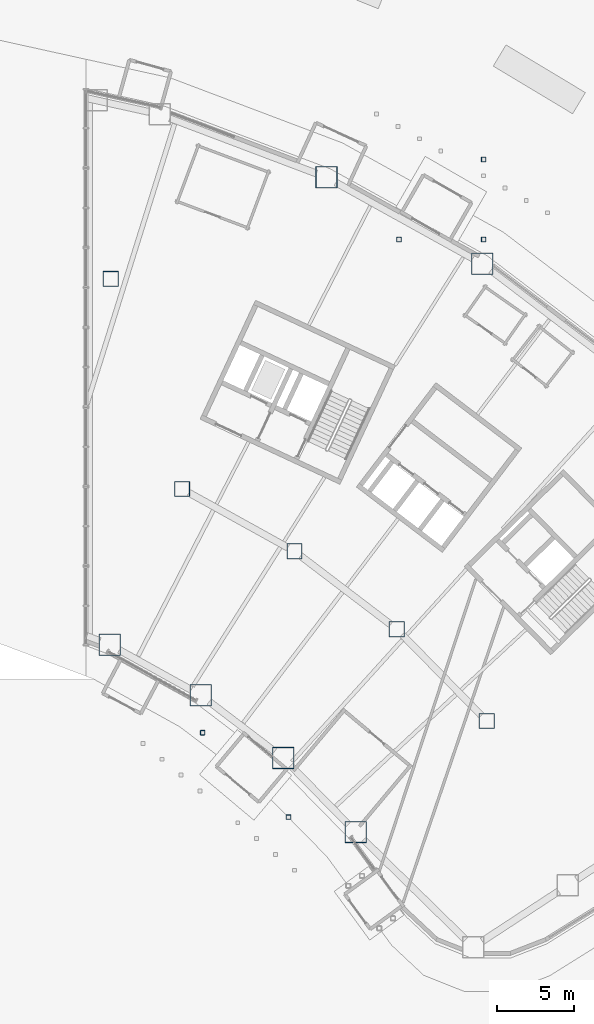
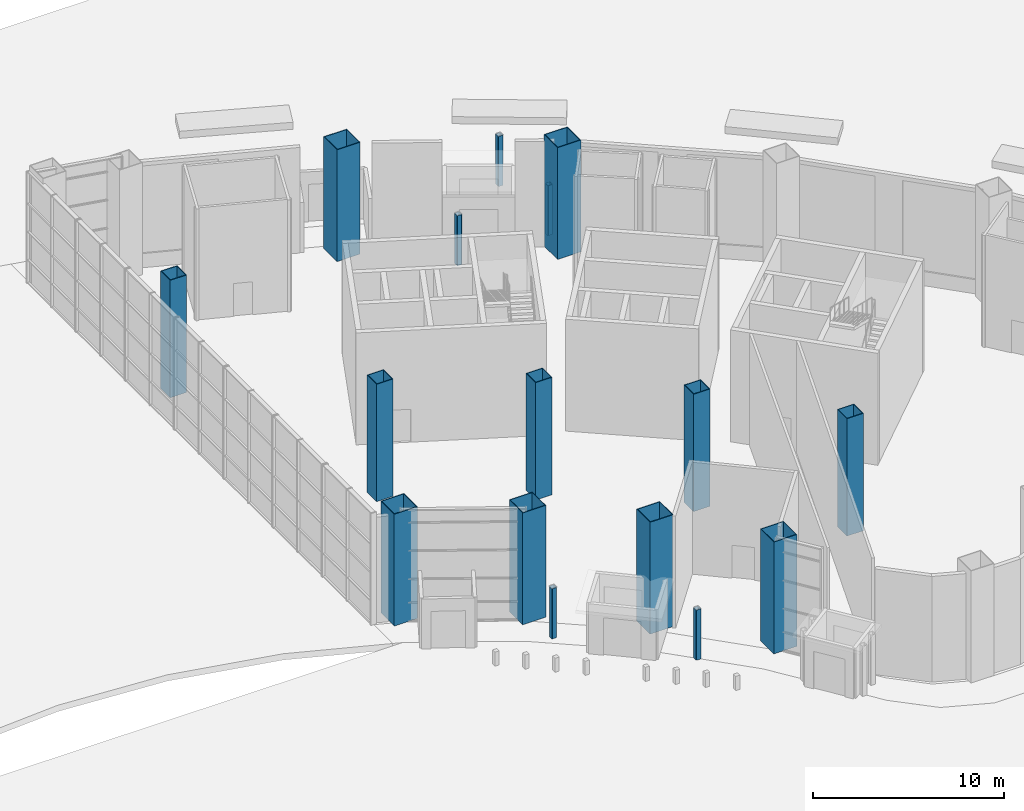
# One storey, part 7 of 45: 16 columns.
"""IFC4 building model written with IfcOpenShell, lengths in metres."""

from ifc_helpers import new_model, si_unit, direction, frame, origin, origin_2d, place, context, subcontext, project, spatial, hollow_rectangle, extrude, material, material_profile, profile_set, type_object, element, save


model = new_model("IFC4")

# Units and contexts
model_context = context("Model", 3, precision=1e-05, world=origin(), true_north=direction((0.0, 1.0)))
body_context = subcontext(model_context, "Body", "Model", "MODEL_VIEW")
ifc_project = project(units=[si_unit("LENGTHUNIT", "METRE"), si_unit("AREAUNIT", "SQUARE_METRE"), si_unit("VOLUMEUNIT", "CUBIC_METRE"), si_unit("PLANEANGLEUNIT", "RADIAN"), si_unit("MASSUNIT", "GRAM", prefix="KILO")], contexts=[model_context])

# Site, building, storey
site_placement = place(None, origin())
site = spatial("IfcSite", under=ifc_project, at=site_placement, CompositionType="ELEMENT")
building_placement = place(site_placement, origin())
building = spatial("IfcBuilding", under=site, at=building_placement, Name="Tuul Gate Civic Tower", CompositionType="ELEMENT")
storey_placement = place(building_placement, origin())
storey = spatial("IfcBuildingStorey", under=building, at=storey_placement, Name="Level 00", CompositionType="ELEMENT", Elevation=0.0)

# Columns
ifc_material_1 = material(Name="Steel S355", Category="steel")
ifc_material_profile_1 = material_profile(ifc_material_1, hollow_rectangle(XDim=1.0, YDim=1.0, WallThickness=0.0400390625, at=origin_2d()), Name="BOX1000x1000x40")
ifc_profile_set_1 = profile_set([ifc_material_profile_1], Name="Steel S355")
column_type_1 = type_object("IfcColumnType", Name="STR-COLUMN-BOX1000x1000x40", PredefinedType="COLUMN", material=ifc_profile_set_1)
for number, where, z_axis, x_axis, name in (
    (1, (19.617919921875, 5.927978515625, 0.0), (0.0, 0.0, 1.0), (1.0, 0.0, 0.0), "Interior column"),
    (2, (24.236083984375, -7.68505859375, 0.0), (0.0, 0.0, 1.0), (1.0, 0.0, 0.0), "Interior column"),
    (3, (31.522216796875, -11.724365234375, 0.0), (0.0, 0.0, 1.0), (1.0, 0.0, 0.0), "Interior column"),
    (4, (38.14990234375, -16.770751953125, 0.0), (0.0, 0.0, 1.0), (1.0, 0.0, 0.0), "Interior column"),
    (5, (43.981689453125, -22.719970703125, 0.0), (0.0, 0.0, 1.0), (1.0, 0.0, 0.0), "Interior column"),
):
    element("IfcColumn", number, at=place(storey_placement, frame(where, z_axis=z_axis, x_axis=x_axis)), inside=storey, type_object=column_type_1, Name=name, PredefinedType="COLUMN", context=body_context, shape_type="SweptSolid", body=[
        extrude(hollow_rectangle(XDim=1.0, YDim=1.0, WallThickness=0.0400390625, at=origin_2d()), origin(), (0.0, 0.0, 1.0), 7.5),
    ])
ifc_material_2 = material(Name="Steel S355", Category="steel")
ifc_material_profile_2 = material_profile(ifc_material_2, hollow_rectangle(XDim=1.39990234375, YDim=1.39990234375, WallThickness=0.0400390625, at=origin_2d()), Name="BOX1400x1400x40")
ifc_profile_set_2 = profile_set([ifc_material_profile_2], Name="Steel S355")
column_type_2 = type_object("IfcColumnType", Name="STR-COLUMN-BOX1400x1400x40", PredefinedType="COLUMN", material=ifc_profile_set_2)
for number, where, z_axis, x_axis, name in (
    (6, (19.55810546875, -17.782958984375, 0.0), (0.0, 0.0, 1.0), (1.0, 0.0, 0.0), "Arch jamb column"),
    (7, (43.69091796875, 6.9130859375, 0.0), (0.0, 0.0, 1.0), (1.0, 0.0, 0.0), "Column"),
    (8, (33.592041015625, 12.510986328125, 0.0), (0.0, 0.0, 1.0), (1.0, 0.0, 0.0), "Column"),
    (9, (25.43798828125, -21.04296875, 0.0), (0.0, 0.0, 1.0), (1.0, 0.0, 0.0), "Column"),
    (10, (30.785888671875, -25.114990234375, 0.0), (0.0, 0.0, 1.0), (1.0, 0.0, 0.0), "Column"),
    (11, (35.491943359375, -29.916015625, 0.0), (0.0, 0.0, 1.0), (1.0, 0.0, 0.0), "Column"),
):
    element("IfcColumn", number, at=place(storey_placement, frame(where, z_axis=z_axis, x_axis=x_axis)), inside=storey, type_object=column_type_2, Name=name, PredefinedType="COLUMN", context=body_context, shape_type="SweptSolid", body=[
        extrude(hollow_rectangle(XDim=1.39990234375, YDim=1.39990234375, WallThickness=0.0400390625, at=origin_2d()), origin(), (0.0, 0.0, 1.0), 7.14990234375),
    ])
ifc_material_3 = material(Name="Steel S355", Category="steel")
ifc_material_profile_3 = material_profile(ifc_material_3, hollow_rectangle(XDim=0.300048828125, YDim=0.300048828125, WallThickness=0.01611328125, InnerFilletRadius=0.01611328125, OuterFilletRadius=0.0400390625, at=origin_2d()), Name="SHS300x300x16")
ifc_profile_set_3 = profile_set([ifc_material_profile_3], Name="Steel S355")
column_type_3 = type_object("IfcColumnType", Name="STR-COLUMN-SHS300x300x16", PredefinedType="COLUMN", material=ifc_profile_set_3)
for number, where, z_axis, x_axis, name in (
    (12, (31.134765625, -28.94580078125, 0.0), (0.0, 0.0, 1.0), (1.0, 0.0, 0.0), "Canopy post"),
    (13, (25.568359375, -23.477783203125, 0.0), (0.0, 0.0, 1.0), (1.0, 0.0, 0.0), "Canopy post"),
    (14, (38.2919921875, 8.477294921875, 0.0), (0.0, 0.0, 1.0), (1.0, 0.0, 0.0), "Canopy post"),
    (15, (43.775634765625, 8.477294921875, 0.0), (0.0, 0.0, 1.0), (1.0, 0.0, 0.0), "Canopy post"),
    (16, (43.775634765625, 13.668212890625, 0.0), (0.0, 0.0, 1.0), (1.0, 0.0, 0.0), "Canopy post"),
):
    element("IfcColumn", number, at=place(storey_placement, frame(where, z_axis=z_axis, x_axis=x_axis)), inside=storey, type_object=column_type_3, Name=name, PredefinedType="COLUMN", context=body_context, shape_type="SweptSolid", body=[
        extrude(hollow_rectangle(XDim=0.300048828125, YDim=0.300048828125, WallThickness=0.01611328125, InnerFilletRadius=0.01611328125, OuterFilletRadius=0.0400390625, at=origin_2d()), origin(), (0.0, 0.0, 1.0), 3.199951171875),
    ])

save(model, "model.ifc")
